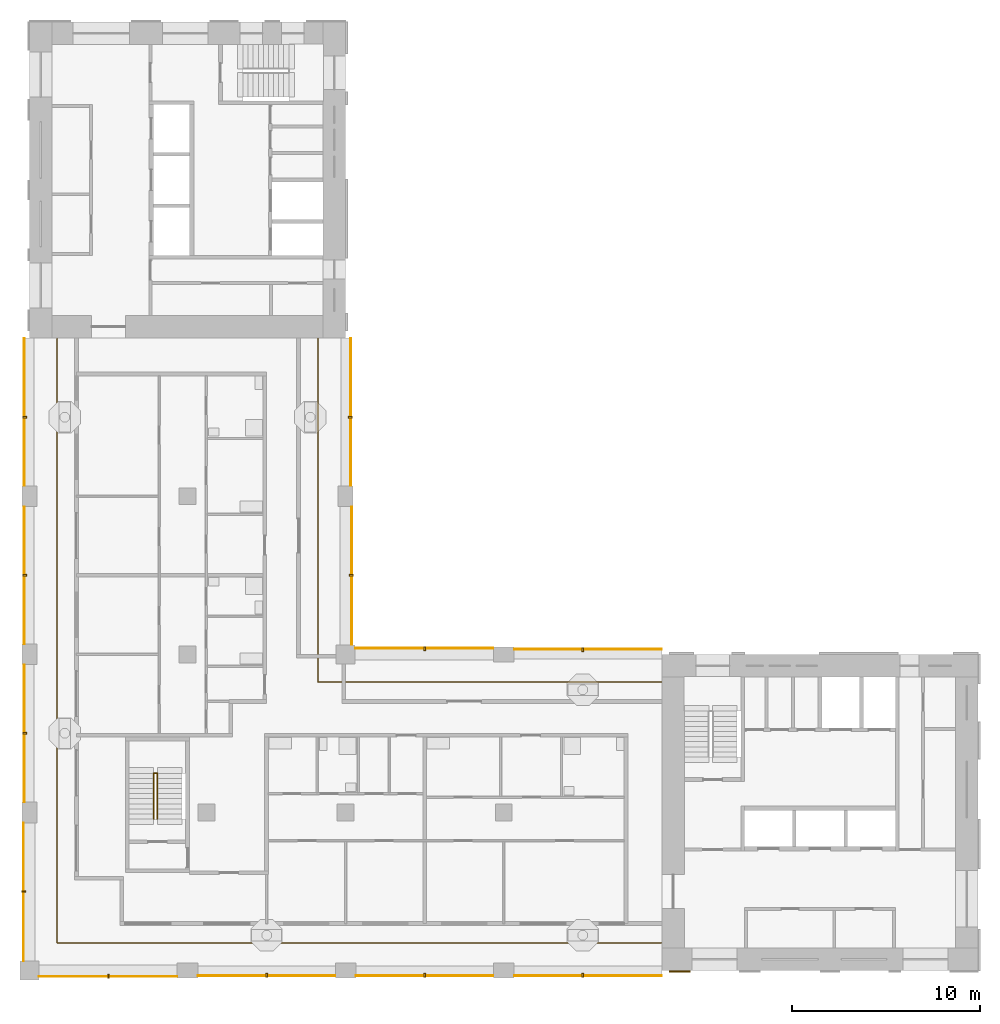
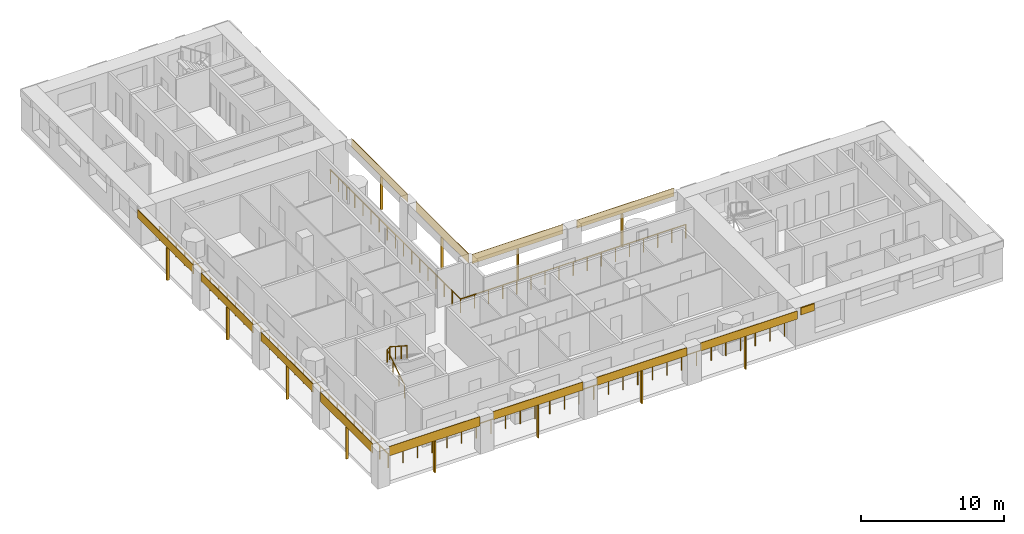
# One storey, part 8 of 12: 25 shading devices, 3 railings.
"""IFC4 building model written with IfcOpenShell, lengths in metres."""

import ifcopenshell
import ifcopenshell.guid

model = None  # the IFC model being written
_history = None  # IfcOwnerHistory: only IFC2X3 demands one
_inside = {}  # id of a spatial element -> (the spatial element, [elements in it])
_under = {}  # id of a project, library or spatial element -> (it, [spatial elements below it])
_declared = {}  # id of a project -> (the project, [libraries it declares])
_typed = {}  # id of a type object -> (the type object, [elements of that type])
_made_of = {}  # id of a material, layer set ... -> (it, [elements and type objects made of it])


def new_model(schema):
    """Start an empty IFC model of exactly this schema.

    Asked for "IFC4X3", IfcOpenShell would pick the latest addendum, in which some entities
    have other attributes; the version numbers below select the first issue.
    IFC2X3 requires an IfcOwnerHistory on every rooted entity: one is made here for all.
    """
    global model, _history
    if schema == "IFC4X3":
        model = ifcopenshell.file(schema_version=(4, 3, 0, 0))
    else:
        model = ifcopenshell.file(schema=schema)
    _inside.clear()
    _under.clear()
    _declared.clear()
    _typed.clear()
    _made_of.clear()
    _history = None
    if model.schema == "IFC2X3":
        org = make("IfcOrganization", Name="unknown")
        user = make(
            "IfcPersonAndOrganization",
            ThePerson=make("IfcPerson", FamilyName="unknown"),
            TheOrganization=org,
        )
        app = make(
            "IfcApplication",
            ApplicationDeveloper=org,
            Version="unknown",
            ApplicationFullName="unknown",
            ApplicationIdentifier="unknown",
        )
        _history = make(
            "IfcOwnerHistory",
            OwningUser=user,
            OwningApplication=app,
            ChangeAction="ADDED",
            CreationDate=0,
        )
    return model


def make(cls, **values):
    """One entity of the class cls with the attributes given. An attribute that is None is left unset."""
    return model.create_entity(
        cls, **{name: value for name, value in values.items() if value is not None}
    )


def rooted(cls, **values):
    """An entity with a GlobalId (a new one), such as an element, a storey or a relation."""
    return make(cls, GlobalId=ifcopenshell.guid.new(), OwnerHistory=_history, **values)


def si_unit(unit_type, name, prefix=None):
    """IfcSIUnit, for example si_unit("LENGTHUNIT", "METRE", prefix="MILLI")."""
    return make("IfcSIUnit", UnitType=unit_type, Prefix=prefix, Name=name)


def assignment(units):
    """IfcUnitAssignment: the units of a project."""
    return None if units is None else make("IfcUnitAssignment", Units=units)


def point(xyz):
    """IfcCartesianPoint."""
    return None if xyz is None else make("IfcCartesianPoint", Coordinates=xyz)


def direction(xyz):
    """IfcDirection."""
    return None if xyz is None else make("IfcDirection", DirectionRatios=xyz)


def frame(location, z_axis=None, x_axis=None):
    """IfcAxis2Placement3D, a coordinate frame: its origin and axes. An axis left out is left unset."""
    return make(
        "IfcAxis2Placement3D",
        Location=point(location),
        Axis=direction(z_axis),
        RefDirection=direction(x_axis),
    )


def frame_2d(location, x_axis=None):
    """IfcAxis2Placement2D, a coordinate frame in the plane: its origin and x axis."""
    return make(
        "IfcAxis2Placement2D", Location=point(location), RefDirection=direction(x_axis)
    )


def origin():
    """The frame at (0, 0, 0) with its axes left unset."""
    return frame((0.0, 0.0, 0.0))


def origin_2d():
    """The frame at (0, 0) in the plane with its x axis left unset."""
    return frame_2d((0.0, 0.0))


def place(relative_to, where):
    """IfcLocalPlacement: puts the frame where relative to a parent placement (None: the world)."""
    return make(
        "IfcLocalPlacement", PlacementRelTo=relative_to, RelativePlacement=where
    )


def context(
    kind, dimensions, precision=None, world=None, true_north=None, identifier=None
):
    """IfcGeometricRepresentationContext, for example the 3D "Model" context."""
    return make(
        "IfcGeometricRepresentationContext",
        ContextIdentifier=identifier,
        ContextType=kind,
        CoordinateSpaceDimension=dimensions,
        Precision=precision,
        WorldCoordinateSystem=world,
        TrueNorth=true_north,
    )


def subcontext(parent, identifier, kind, view, scale=None):
    """IfcGeometricRepresentationSubContext, for example "Body" below "Model"."""
    return make(
        "IfcGeometricRepresentationSubContext",
        ContextIdentifier=identifier,
        ContextType=kind,
        ParentContext=parent,
        TargetScale=scale,
        TargetView=view,
    )


def project(units=None, contexts=None):
    """IfcProject with its units and contexts."""
    return rooted(
        "IfcProject",
        Name="project",
        RepresentationContexts=contexts,
        UnitsInContext=assignment(units),
    )


def spatial(cls, under=None, at=None, **own):
    """A site, building, storey or space (cls), placed at a placement, below another one or the project."""
    s = rooted(cls, ObjectPlacement=at, **own)
    if under is not None:
        _under.setdefault(under.id(), (under, []))[1].append(s)
    return s


def profile(cls, at=None, kind="AREA", **sizes):
    """A parametric profile (cls). Its sizes go by their IFC names, for example OverallWidth=200.0."""
    return make(cls, ProfileType=kind, Position=at, **sizes)


def rectangle(**sizes):
    """IfcRectangleProfileDef."""
    return profile("IfcRectangleProfileDef", **sizes)


def circle(**sizes):
    """IfcCircleProfileDef."""
    return profile("IfcCircleProfileDef", **sizes)


def extrude(swept, where, along, depth):
    """IfcExtrudedAreaSolid: the profile swept, set in the frame where, extruded along a direction by depth."""
    return make(
        "IfcExtrudedAreaSolid",
        SweptArea=swept,
        Position=where,
        ExtrudedDirection=direction(along),
        Depth=depth,
    )


def shape(context_of_items, identifier, shape_type, items):
    """IfcShapeRepresentation: the items that make up one representation, for example the "Body"."""
    return make(
        "IfcShapeRepresentation",
        ContextOfItems=context_of_items,
        RepresentationIdentifier=identifier,
        RepresentationType=shape_type,
        Items=items,
    )


def material(Name=None, Category=None):
    """IfcMaterial."""
    return make("IfcMaterial", Name=Name, Category=Category)


def layer(
    of_material, thickness, ventilated=None, Name=None, Category=None, Priority=None
):
    """IfcMaterialLayer: one layer of a wall or slab, of a material (None: an air gap)."""
    return make(
        "IfcMaterialLayer",
        Material=of_material,
        LayerThickness=thickness,
        IsVentilated=ventilated,
        Name=Name,
        Category=Category,
        Priority=Priority,
    )


def layer_set(layers, Name=None):
    """IfcMaterialLayerSet."""
    return make("IfcMaterialLayerSet", MaterialLayers=layers, LayerSetName=Name)


def material_profile(
    of_material, cross_section, Name=None, Category=None, Priority=None
):
    """IfcMaterialProfile: a cross section and its material."""
    return make(
        "IfcMaterialProfile",
        Name=Name,
        Material=of_material,
        Profile=cross_section,
        Priority=Priority,
        Category=Category,
    )


def profile_set(profiles, Name=None, composite=None):
    """IfcMaterialProfileSet."""
    return make(
        "IfcMaterialProfileSet",
        Name=Name,
        MaterialProfiles=profiles,
        CompositeProfile=composite,
    )


def made_of(thing, what):
    """Note that an element or type object is made of a material, layer set ...; save() writes the relation."""
    if what is not None:
        _made_of.setdefault(what.id(), (what, []))[1].append(thing)
    return thing


def type_object(cls, material=None, **own):
    """A type object (cls), such as IfcWallType, which elements share."""
    return made_of(rooted(cls, **own), material)


def element(
    cls,
    number,
    at=None,
    inside=None,
    cuts=None,
    type_object=None,
    material=None,
    context=None,
    identifier="Body",
    shape_type=None,
    held_by="IfcProductDefinitionShape",
    body=None,
    shapes=None,
    **own,
):
    """One element of the class cls, such as IfcWall. Its Tag is "e" and its number.

    at: its placement. inside: the storey or other place that contains it. cuts: it is an
    opening in that element (IfcRelVoidsElement). A single representation is given by context,
    identifier, shape_type and body (its items); several are given by shapes. held_by: the class
    of the entity that holds the representations. save() writes the other relations.
    """
    e = rooted(cls, Tag="e%d" % number, ObjectPlacement=at, **own)
    if body is not None:
        shapes = [shape(context, identifier, shape_type, body)]
    if shapes is not None:
        e.Representation = make(held_by, Representations=shapes)
    if inside is not None:
        _inside.setdefault(inside.id(), (inside, []))[1].append(e)
    if cuts is not None:
        rooted(
            "IfcRelVoidsElement", RelatingBuildingElement=cuts, RelatedOpeningElement=e
        )
    if type_object is not None:
        _typed.setdefault(type_object.id(), (type_object, []))[1].append(e)
    return made_of(e, material)


def aggregate(whole, parts):
    """IfcRelAggregates: a whole, such as a stair, and the parts it consists of."""
    return rooted("IfcRelAggregates", RelatingObject=whole, RelatedObjects=parts)


def save(model, path):
    """Write the relations noted so far, then the file.

    IfcRelAggregates (storeys below a building ...), IfcRelContainedInSpatialStructure (elements
    in a storey), IfcRelDefinesByType, IfcRelAssociatesMaterial and IfcRelDeclares: one each for
    every whole, place, type object, material and project.
    """
    for whole, parts in _under.values():
        aggregate(whole, parts)
    for where, things in _inside.values():
        rooted(
            "IfcRelContainedInSpatialStructure",
            RelatedElements=things,
            RelatingStructure=where,
        )
    for kind, things in _typed.values():
        rooted("IfcRelDefinesByType", RelatedObjects=things, RelatingType=kind)
    for what, things in _made_of.values():
        rooted("IfcRelAssociatesMaterial", RelatedObjects=things, RelatingMaterial=what)
    for by, libraries in _declared.values():
        rooted("IfcRelDeclares", RelatingContext=by, RelatedDefinitions=libraries)
    model.write(path)


model = new_model("IFC4")

# Units and contexts
model_context = context("Model", 3, precision=1e-05, world=origin(), true_north=direction((0.0, 1.0)))
body_context = subcontext(model_context, "Body", "Model", "MODEL_VIEW")
ifc_project = project(units=[si_unit("LENGTHUNIT", "METRE"), si_unit("AREAUNIT", "SQUARE_METRE"), si_unit("VOLUMEUNIT", "CUBIC_METRE"), si_unit("PLANEANGLEUNIT", "RADIAN"), si_unit("MASSUNIT", "GRAM", prefix="KILO")], contexts=[model_context])

# Site, building, storey
site_placement = place(None, origin())
site = spatial("IfcSite", under=ifc_project, at=site_placement, CompositionType="ELEMENT")
building_placement = place(site_placement, origin())
building = spatial("IfcBuilding", under=site, at=building_placement, Name="Vermilion Gate Residences", CompositionType="ELEMENT")
storey_placement = place(building_placement, frame((0.0, 0.0, 217.699951171875)))
storey = spatial("IfcBuildingStorey", under=building, at=storey_placement, Name="L56", CompositionType="ELEMENT", Elevation=217.699951171875)

# Railings
ifc_material_1 = material(Name="Stainless steel and toughened glass", Category="steel")
railing_type_1 = type_object("IfcRailingType", Name="LOGGIA GUARD STEEL AND GLASS 1200", PredefinedType="GUARDRAIL", material=ifc_material_1)
railing_1_placement = place(storey_placement, frame((41.97802734375, 23.72509765625, 0.0)))
element("IfcRailing", 1, at=railing_1_placement, inside=storey, type_object=railing_type_1, Name="Loggia guard", PredefinedType="GUARDRAIL", context=body_context, shape_type="SweptSolid", body=[
    extrude(circle(Radius=0.030029296875, at=origin_2d()), frame((0.0, 0.0, 1.169921875), z_axis=(-1.0, 0.0, 0.0), x_axis=(0.0, -1.0, 0.0)), (0.0, 0.0, 1.0), 18.2529296875),
    extrude(circle(Radius=0.030029296875, at=origin_2d()), frame((-18.2529296875, 0.0, 1.169921875), z_axis=(0.0, 1.0, 0.0), x_axis=(-1.0, 0.0, 0.0)), (0.0, 0.0, 1.0), 18.2529296875),
    extrude(circle(Radius=0.02490234375, at=origin_2d()), origin(), (0.0, 0.0, 1.0), 1.139892578125),
    extrude(circle(Radius=0.02490234375, at=origin_2d()), frame((-1.140869140625, 0.0, 0.0)), (0.0, 0.0, 1.0), 1.139892578125),
    extrude(circle(Radius=0.02490234375, at=origin_2d()), frame((-2.28173828125, 0.0, 0.0)), (0.0, 0.0, 1.0), 1.139892578125),
    extrude(circle(Radius=0.02490234375, at=origin_2d()), frame((-3.42236328125, 0.0, 0.0)), (0.0, 0.0, 1.0), 1.139892578125),
    extrude(circle(Radius=0.02490234375, at=origin_2d()), frame((-4.563232421875, 0.0, 0.0)), (0.0, 0.0, 1.0), 1.139892578125),
    extrude(circle(Radius=0.02490234375, at=origin_2d()), frame((-5.7041015625, 0.0, 0.0)), (0.0, 0.0, 1.0), 1.139892578125),
    extrude(circle(Radius=0.02490234375, at=origin_2d()), frame((-6.8447265625, 0.0, 0.0)), (0.0, 0.0, 1.0), 1.139892578125),
    extrude(circle(Radius=0.02490234375, at=origin_2d()), frame((-7.985595703125, 0.0, 0.0)), (0.0, 0.0, 1.0), 1.139892578125),
    extrude(circle(Radius=0.02490234375, at=origin_2d()), frame((-9.12646484375, 0.0, 0.0)), (0.0, 0.0, 1.0), 1.139892578125),
    extrude(circle(Radius=0.02490234375, at=origin_2d()), frame((-10.267333984375, 0.0, 0.0)), (0.0, 0.0, 1.0), 1.139892578125),
    extrude(circle(Radius=0.02490234375, at=origin_2d()), frame((-11.408203125, 0.0, 0.0)), (0.0, 0.0, 1.0), 1.139892578125),
    extrude(circle(Radius=0.02490234375, at=origin_2d()), frame((-12.548828125, 0.0, 0.0)), (0.0, 0.0, 1.0), 1.139892578125),
    extrude(circle(Radius=0.02490234375, at=origin_2d()), frame((-13.689697265625, 0.0, 0.0)), (0.0, 0.0, 1.0), 1.139892578125),
    extrude(circle(Radius=0.02490234375, at=origin_2d()), frame((-14.83056640625, 0.0, 0.0)), (0.0, 0.0, 1.0), 1.139892578125),
    extrude(circle(Radius=0.02490234375, at=origin_2d()), frame((-15.97119140625, 0.0, 0.0)), (0.0, 0.0, 1.0), 1.139892578125),
    extrude(circle(Radius=0.02490234375, at=origin_2d()), frame((-17.112060546875, 0.0, 0.0)), (0.0, 0.0, 1.0), 1.139892578125),
    extrude(circle(Radius=0.02490234375, at=origin_2d()), frame((-18.2529296875, 0.0, 0.0)), (0.0, 0.0, 1.0), 1.139892578125),
    extrude(circle(Radius=0.02490234375, at=origin_2d()), frame((-18.2529296875, 1.140869140625, 0.0)), (0.0, 0.0, 1.0), 1.139892578125),
    extrude(circle(Radius=0.02490234375, at=origin_2d()), frame((-18.2529296875, 2.28173828125, 0.0)), (0.0, 0.0, 1.0), 1.139892578125),
    extrude(circle(Radius=0.02490234375, at=origin_2d()), frame((-18.2529296875, 3.42236328125, 0.0)), (0.0, 0.0, 1.0), 1.139892578125),
    extrude(circle(Radius=0.02490234375, at=origin_2d()), frame((-18.2529296875, 4.563232421875, 0.0)), (0.0, 0.0, 1.0), 1.139892578125),
    extrude(circle(Radius=0.02490234375, at=origin_2d()), frame((-18.2529296875, 5.7041015625, 0.0)), (0.0, 0.0, 1.0), 1.139892578125),
    extrude(circle(Radius=0.02490234375, at=origin_2d()), frame((-18.2529296875, 6.8447265625, 0.0)), (0.0, 0.0, 1.0), 1.139892578125),
    extrude(circle(Radius=0.02490234375, at=origin_2d()), frame((-18.2529296875, 7.985595703125, 0.0)), (0.0, 0.0, 1.0), 1.139892578125),
    extrude(circle(Radius=0.02490234375, at=origin_2d()), frame((-18.2529296875, 9.12646484375, 0.0)), (0.0, 0.0, 1.0), 1.139892578125),
    extrude(circle(Radius=0.02490234375, at=origin_2d()), frame((-18.2529296875, 10.267333984375, 0.0)), (0.0, 0.0, 1.0), 1.139892578125),
    extrude(circle(Radius=0.02490234375, at=origin_2d()), frame((-18.2529296875, 11.408203125, 0.0)), (0.0, 0.0, 1.0), 1.139892578125),
    extrude(circle(Radius=0.02490234375, at=origin_2d()), frame((-18.2529296875, 12.548828125, 0.0)), (0.0, 0.0, 1.0), 1.139892578125),
    extrude(circle(Radius=0.02490234375, at=origin_2d()), frame((-18.2529296875, 13.689697265625, 0.0)), (0.0, 0.0, 1.0), 1.139892578125),
    extrude(circle(Radius=0.02490234375, at=origin_2d()), frame((-18.2529296875, 14.83056640625, 0.0)), (0.0, 0.0, 1.0), 1.139892578125),
    extrude(circle(Radius=0.02490234375, at=origin_2d()), frame((-18.2529296875, 15.97119140625, 0.0)), (0.0, 0.0, 1.0), 1.139892578125),
    extrude(circle(Radius=0.02490234375, at=origin_2d()), frame((-18.2529296875, 17.112060546875, 0.0)), (0.0, 0.0, 1.0), 1.139892578125),
    extrude(circle(Radius=0.02490234375, at=origin_2d()), frame((-18.2529296875, 18.2529296875, 0.0)), (0.0, 0.0, 1.0), 1.139892578125),
])
railing_2_placement = place(storey_placement, frame((9.875, 41.97802734375, 0.0)))
element("IfcRailing", 2, at=railing_2_placement, inside=storey, type_object=railing_type_1, Name="Loggia guard", PredefinedType="GUARDRAIL", context=body_context, shape_type="SweptSolid", body=[
    extrude(circle(Radius=0.030029296875, at=origin_2d()), frame((0.0, 0.0, 1.169921875), z_axis=(0.0, -1.0, 0.0), x_axis=(1.0, 0.0, 0.0)), (0.0, 0.0, 1.0), 32.10302734375),
    extrude(circle(Radius=0.030029296875, at=origin_2d()), frame((0.0, -32.10302734375, 1.169921875), z_axis=(1.0, 0.0, 0.0), x_axis=(0.0, 1.0, 0.0)), (0.0, 0.0, 1.0), 32.10302734375),
    extrude(circle(Radius=0.02490234375, at=origin_2d()), origin(), (0.0, 0.0, 1.0), 1.139892578125),
    extrude(circle(Radius=0.02490234375, at=origin_2d()), frame((0.0, -1.18896484375, 0.0)), (0.0, 0.0, 1.0), 1.139892578125),
    extrude(circle(Radius=0.02490234375, at=origin_2d()), frame((0.0, -2.3779296875, 0.0)), (0.0, 0.0, 1.0), 1.139892578125),
    extrude(circle(Radius=0.02490234375, at=origin_2d()), frame((0.0, -3.56689453125, 0.0)), (0.0, 0.0, 1.0), 1.139892578125),
    extrude(circle(Radius=0.02490234375, at=origin_2d()), frame((0.0, -4.756103515625, 0.0)), (0.0, 0.0, 1.0), 1.139892578125),
    extrude(circle(Radius=0.02490234375, at=origin_2d()), frame((0.0, -5.945068359375, 0.0)), (0.0, 0.0, 1.0), 1.139892578125),
    extrude(circle(Radius=0.02490234375, at=origin_2d()), frame((0.0, -7.134033203125, 0.0)), (0.0, 0.0, 1.0), 1.139892578125),
    extrude(circle(Radius=0.02490234375, at=origin_2d()), frame((0.0, -8.322998046875, 0.0)), (0.0, 0.0, 1.0), 1.139892578125),
    extrude(circle(Radius=0.02490234375, at=origin_2d()), frame((0.0, -9.511962890625, 0.0)), (0.0, 0.0, 1.0), 1.139892578125),
    extrude(circle(Radius=0.02490234375, at=origin_2d()), frame((0.0, -10.700927734375, 0.0)), (0.0, 0.0, 1.0), 1.139892578125),
    extrude(circle(Radius=0.02490234375, at=origin_2d()), frame((0.0, -11.889892578125, 0.0)), (0.0, 0.0, 1.0), 1.139892578125),
    extrude(circle(Radius=0.02490234375, at=origin_2d()), frame((0.0, -13.0791015625, 0.0)), (0.0, 0.0, 1.0), 1.139892578125),
    extrude(circle(Radius=0.02490234375, at=origin_2d()), frame((0.0, -14.26806640625, 0.0)), (0.0, 0.0, 1.0), 1.139892578125),
    extrude(circle(Radius=0.02490234375, at=origin_2d()), frame((0.0, -15.45703125, 0.0)), (0.0, 0.0, 1.0), 1.139892578125),
    extrude(circle(Radius=0.02490234375, at=origin_2d()), frame((0.0, -16.64599609375, 0.0)), (0.0, 0.0, 1.0), 1.139892578125),
    extrude(circle(Radius=0.02490234375, at=origin_2d()), frame((0.0, -17.8349609375, 0.0)), (0.0, 0.0, 1.0), 1.139892578125),
    extrude(circle(Radius=0.02490234375, at=origin_2d()), frame((0.0, -19.02392578125, 0.0)), (0.0, 0.0, 1.0), 1.139892578125),
    extrude(circle(Radius=0.02490234375, at=origin_2d()), frame((0.0, -20.213134765625, 0.0)), (0.0, 0.0, 1.0), 1.139892578125),
    extrude(circle(Radius=0.02490234375, at=origin_2d()), frame((0.0, -21.402099609375, 0.0)), (0.0, 0.0, 1.0), 1.139892578125),
    extrude(circle(Radius=0.02490234375, at=origin_2d()), frame((0.0, -22.591064453125, 0.0)), (0.0, 0.0, 1.0), 1.139892578125),
    extrude(circle(Radius=0.02490234375, at=origin_2d()), frame((0.0, -23.780029296875, 0.0)), (0.0, 0.0, 1.0), 1.139892578125),
    extrude(circle(Radius=0.02490234375, at=origin_2d()), frame((0.0, -24.968994140625, 0.0)), (0.0, 0.0, 1.0), 1.139892578125),
    extrude(circle(Radius=0.02490234375, at=origin_2d()), frame((0.0, -26.157958984375, 0.0)), (0.0, 0.0, 1.0), 1.139892578125),
    extrude(circle(Radius=0.02490234375, at=origin_2d()), frame((0.0, -27.346923828125, 0.0)), (0.0, 0.0, 1.0), 1.139892578125),
    extrude(circle(Radius=0.02490234375, at=origin_2d()), frame((0.0, -28.5361328125, 0.0)), (0.0, 0.0, 1.0), 1.139892578125),
    extrude(circle(Radius=0.02490234375, at=origin_2d()), frame((0.0, -29.72509765625, 0.0)), (0.0, 0.0, 1.0), 1.139892578125),
    extrude(circle(Radius=0.02490234375, at=origin_2d()), frame((0.0, -30.9140625, 0.0)), (0.0, 0.0, 1.0), 1.139892578125),
    extrude(circle(Radius=0.02490234375, at=origin_2d()), frame((0.0, -32.10302734375, 0.0)), (0.0, 0.0, 1.0), 1.139892578125),
    extrude(circle(Radius=0.02490234375, at=origin_2d()), frame((1.18896484375, -32.10302734375, 0.0)), (0.0, 0.0, 1.0), 1.139892578125),
    extrude(circle(Radius=0.02490234375, at=origin_2d()), frame((2.3779296875, -32.10302734375, 0.0)), (0.0, 0.0, 1.0), 1.139892578125),
    extrude(circle(Radius=0.02490234375, at=origin_2d()), frame((3.56689453125, -32.10302734375, 0.0)), (0.0, 0.0, 1.0), 1.139892578125),
    extrude(circle(Radius=0.02490234375, at=origin_2d()), frame((4.756103515625, -32.10302734375, 0.0)), (0.0, 0.0, 1.0), 1.139892578125),
    extrude(circle(Radius=0.02490234375, at=origin_2d()), frame((5.945068359375, -32.10302734375, 0.0)), (0.0, 0.0, 1.0), 1.139892578125),
    extrude(circle(Radius=0.02490234375, at=origin_2d()), frame((7.134033203125, -32.10302734375, 0.0)), (0.0, 0.0, 1.0), 1.139892578125),
    extrude(circle(Radius=0.02490234375, at=origin_2d()), frame((8.322998046875, -32.10302734375, 0.0)), (0.0, 0.0, 1.0), 1.139892578125),
    extrude(circle(Radius=0.02490234375, at=origin_2d()), frame((9.511962890625, -32.10302734375, 0.0)), (0.0, 0.0, 1.0), 1.139892578125),
    extrude(circle(Radius=0.02490234375, at=origin_2d()), frame((10.700927734375, -32.10302734375, 0.0)), (0.0, 0.0, 1.0), 1.139892578125),
    extrude(circle(Radius=0.02490234375, at=origin_2d()), frame((11.889892578125, -32.10302734375, 0.0)), (0.0, 0.0, 1.0), 1.139892578125),
    extrude(circle(Radius=0.02490234375, at=origin_2d()), frame((13.0791015625, -32.10302734375, 0.0)), (0.0, 0.0, 1.0), 1.139892578125),
    extrude(circle(Radius=0.02490234375, at=origin_2d()), frame((14.26806640625, -32.10302734375, 0.0)), (0.0, 0.0, 1.0), 1.139892578125),
    extrude(circle(Radius=0.02490234375, at=origin_2d()), frame((15.45703125, -32.10302734375, 0.0)), (0.0, 0.0, 1.0), 1.139892578125),
    extrude(circle(Radius=0.02490234375, at=origin_2d()), frame((16.64599609375, -32.10302734375, 0.0)), (0.0, 0.0, 1.0), 1.139892578125),
    extrude(circle(Radius=0.02490234375, at=origin_2d()), frame((17.8349609375, -32.10302734375, 0.0)), (0.0, 0.0, 1.0), 1.139892578125),
    extrude(circle(Radius=0.02490234375, at=origin_2d()), frame((19.02392578125, -32.10302734375, 0.0)), (0.0, 0.0, 1.0), 1.139892578125),
    extrude(circle(Radius=0.02490234375, at=origin_2d()), frame((20.213134765625, -32.10302734375, 0.0)), (0.0, 0.0, 1.0), 1.139892578125),
    extrude(circle(Radius=0.02490234375, at=origin_2d()), frame((21.402099609375, -32.10302734375, 0.0)), (0.0, 0.0, 1.0), 1.139892578125),
    extrude(circle(Radius=0.02490234375, at=origin_2d()), frame((22.591064453125, -32.10302734375, 0.0)), (0.0, 0.0, 1.0), 1.139892578125),
    extrude(circle(Radius=0.02490234375, at=origin_2d()), frame((23.780029296875, -32.10302734375, 0.0)), (0.0, 0.0, 1.0), 1.139892578125),
    extrude(circle(Radius=0.02490234375, at=origin_2d()), frame((24.968994140625, -32.10302734375, 0.0)), (0.0, 0.0, 1.0), 1.139892578125),
    extrude(circle(Radius=0.02490234375, at=origin_2d()), frame((26.157958984375, -32.10302734375, 0.0)), (0.0, 0.0, 1.0), 1.139892578125),
    extrude(circle(Radius=0.02490234375, at=origin_2d()), frame((27.346923828125, -32.10302734375, 0.0)), (0.0, 0.0, 1.0), 1.139892578125),
    extrude(circle(Radius=0.02490234375, at=origin_2d()), frame((28.5361328125, -32.10302734375, 0.0)), (0.0, 0.0, 1.0), 1.139892578125),
    extrude(circle(Radius=0.02490234375, at=origin_2d()), frame((29.72509765625, -32.10302734375, 0.0)), (0.0, 0.0, 1.0), 1.139892578125),
    extrude(circle(Radius=0.02490234375, at=origin_2d()), frame((30.9140625, -32.10302734375, 0.0)), (0.0, 0.0, 1.0), 1.139892578125),
    extrude(circle(Radius=0.02490234375, at=origin_2d()), frame((32.10302734375, -32.10302734375, 0.0)), (0.0, 0.0, 1.0), 1.139892578125),
])

# Shading devices
ifc_material_2 = material(Name="Perforated terracotta", Category="masonry")
ifc_layer_1 = layer(ifc_material_2, 0.0400390625)
ifc_layer_set_1 = layer_set([ifc_layer_1], Name="PERFORATED TERRACOTTA SCREEN 40")
shading_device_type_1 = type_object("IfcShadingDeviceType", Name="PERFORATED TERRACOTTA SCREEN 40", PredefinedType="SHUTTER", material=ifc_layer_set_1)
shading_device_1_placement = place(storey_placement, frame((12.574951171875, 8.080078125, 2.419921875), z_axis=(0.0, 0.0, 1.0), x_axis=(1.0, 0.0, 0.0)))
element("IfcShadingDevice", 3, at=shading_device_1_placement, inside=storey, type_object=shading_device_type_1, Name="SCREEN", PredefinedType="SHUTTER", context=body_context, shape_type="SweptSolid", body=[
    extrude(rectangle(XDim=7.35009765625, YDim=0.0400390625, at=origin_2d()), origin(), (0.0, 0.0, 1.0), 0.800048828125),
])
for number, where, z_axis, x_axis, name in (
    (4, (21.0, 8.1298828125, 2.52001953125), (0.0, 0.0, 1.0), (1.0, 0.0, 0.0), "SCREEN"),
    (5, (29.39990234375, 8.1298828125, 2.52001953125), (0.0, 0.0, 1.0), (1.0, 0.0, 0.0), "SCREEN"),
):
    element("IfcShadingDevice", number, at=place(storey_placement, frame(where, z_axis=z_axis, x_axis=x_axis)), inside=storey, type_object=shading_device_type_1, Name=name, PredefinedType="SHUTTER", context=body_context, shape_type="SweptSolid", body=[
        extrude(rectangle(XDim=7.300048828125, YDim=0.0400390625, at=origin_2d()), origin(), (0.0, 0.0, 1.0), 0.699951171875),
    ])
shading_device_2_placement = place(storey_placement, frame((38.074951171875, 8.1298828125, 2.52001953125), z_axis=(0.0, 0.0, 1.0), x_axis=(1.0, 0.0, 0.0)))
element("IfcShadingDevice", 6, at=shading_device_2_placement, inside=storey, type_object=shading_device_type_1, Name="SCREEN", PredefinedType="SHUTTER", context=body_context, shape_type="SweptSolid", body=[
    extrude(rectangle(XDim=7.85009765625, YDim=0.0400390625, at=origin_2d()), origin(), (0.0, 0.0, 1.0), 0.699951171875),
])
shading_device_3_placement = place(storey_placement, frame((29.375, 25.52001953125, 2.419921875), z_axis=(0.0, 0.0, 1.0), x_axis=(-1.0, 0.0, 0.0)))
element("IfcShadingDevice", 7, at=shading_device_3_placement, inside=storey, type_object=shading_device_type_1, Name="SCREEN", PredefinedType="SHUTTER", context=body_context, shape_type="SweptSolid", body=[
    extrude(rectangle(XDim=7.35009765625, YDim=0.0400390625, at=origin_2d()), origin(), (0.0, 0.0, 1.0), 0.800048828125),
])
shading_device_4_placement = place(storey_placement, frame((38.074951171875, 25.469970703125, 2.52001953125), z_axis=(0.0, 0.0, 1.0), x_axis=(-1.0, 0.0, 0.0)))
element("IfcShadingDevice", 8, at=shading_device_4_placement, inside=storey, type_object=shading_device_type_1, Name="SCREEN", PredefinedType="SHUTTER", context=body_context, shape_type="SweptSolid", body=[
    extrude(rectangle(XDim=7.85009765625, YDim=0.0400390625, at=origin_2d()), origin(), (0.0, 0.0, 1.0), 0.699951171875),
])
shading_device_5_placement = place(storey_placement, frame((25.52001953125, 29.375, 2.419921875), z_axis=(0.0, 0.0, 1.0), x_axis=(0.0, 1.0, 0.0)))
element("IfcShadingDevice", 9, at=shading_device_5_placement, inside=storey, type_object=shading_device_type_1, Name="SCREEN", PredefinedType="SHUTTER", context=body_context, shape_type="SweptSolid", body=[
    extrude(rectangle(XDim=7.35009765625, YDim=0.0400390625, at=origin_2d()), origin(), (0.0, 0.0, 1.0), 0.800048828125),
])
shading_device_6_placement = place(storey_placement, frame((25.469970703125, 38.074951171875, 2.52001953125), z_axis=(0.0, 0.0, 1.0), x_axis=(0.0, 1.0, 0.0)))
element("IfcShadingDevice", 10, at=shading_device_6_placement, inside=storey, type_object=shading_device_type_1, Name="SCREEN", PredefinedType="SHUTTER", context=body_context, shape_type="SweptSolid", body=[
    extrude(rectangle(XDim=7.85009765625, YDim=0.0400390625, at=origin_2d()), origin(), (0.0, 0.0, 1.0), 0.699951171875),
])
shading_device_7_placement = place(storey_placement, frame((8.080078125, 12.574951171875, 2.419921875), z_axis=(0.0, 0.0, 1.0), x_axis=(0.0, -1.0, 0.0)))
element("IfcShadingDevice", 11, at=shading_device_7_placement, inside=storey, type_object=shading_device_type_1, Name="SCREEN", PredefinedType="SHUTTER", context=body_context, shape_type="SweptSolid", body=[
    extrude(rectangle(XDim=7.35009765625, YDim=0.0400390625, at=origin_2d()), origin(), (0.0, 0.0, 1.0), 0.800048828125),
])
for number, where, z_axis, x_axis, name in (
    (12, (8.1298828125, 21.0, 2.52001953125), (0.0, 0.0, 1.0), (0.0, -1.0, 0.0), "SCREEN"),
    (13, (8.1298828125, 29.39990234375, 2.52001953125), (0.0, 0.0, 1.0), (0.0, -1.0, 0.0), "SCREEN"),
):
    element("IfcShadingDevice", number, at=place(storey_placement, frame(where, z_axis=z_axis, x_axis=x_axis)), inside=storey, type_object=shading_device_type_1, Name=name, PredefinedType="SHUTTER", context=body_context, shape_type="SweptSolid", body=[
        extrude(rectangle(XDim=7.300048828125, YDim=0.0400390625, at=origin_2d()), origin(), (0.0, 0.0, 1.0), 0.699951171875),
    ])
shading_device_8_placement = place(storey_placement, frame((8.1298828125, 38.074951171875, 2.52001953125), z_axis=(0.0, 0.0, 1.0), x_axis=(0.0, -1.0, 0.0)))
element("IfcShadingDevice", 14, at=shading_device_8_placement, inside=storey, type_object=shading_device_type_1, Name="SCREEN", PredefinedType="SHUTTER", context=body_context, shape_type="SweptSolid", body=[
    extrude(rectangle(XDim=7.85009765625, YDim=0.0400390625, at=origin_2d()), origin(), (0.0, 0.0, 1.0), 0.699951171875),
])

# Railing
ifc_material_3 = material(Name="Steel S355", Category="steel")
railing_type_2 = type_object("IfcRailingType", Name="STAIR GUARD 1100 STEEL", PredefinedType="GUARDRAIL", material=ifc_material_3)
railing_3_placement = place(storey_placement, frame((15.0, 16.449951171875, 0.175048828125)))
element("IfcRailing", 15, at=railing_3_placement, inside=storey, type_object=railing_type_2, Name="Stair well guard STC1-56", PredefinedType="GUARDRAIL", context=body_context, shape_type="SweptSolid", body=[
    extrude(circle(Radius=0.02392578125, at=origin_2d()), frame((0.0, 0.0, 1.076171875), z_axis=(0.0, 0.839153699163, 0.543894354798), x_axis=(-1.0, 0.0, 0.0)), (0.0, 0.0, 1.0), 2.895751953125),
    extrude(circle(Radius=0.02392578125, at=origin_2d()), frame((0.0, 2.429931640625, 2.65087890625), z_axis=(0.752405939678, 0.0, 0.658699705433), x_axis=(0.0, 1.0, 0.0)), (0.0, 0.0, 1.0), 0.265869140625),
    extrude(circle(Radius=0.02392578125, at=origin_2d()), frame((0.199951171875, 2.429931640625, 2.826171875), z_axis=(0.0, -0.839153699163, 0.543894354798), x_axis=(1.0, 0.0, 0.0)), (0.0, 0.0, 1.0), 2.895751953125),
    extrude(circle(Radius=0.02099609375, at=origin_2d()), origin(), (0.0, 0.0, 1.0), 1.052001953125),
    extrude(circle(Radius=0.02099609375, at=origin_2d()), frame((0.0, 0.81005859375, 0.52490234375)), (0.0, 0.0, 1.0), 1.052001953125),
    extrude(circle(Radius=0.02099609375, at=origin_2d()), frame((0.0, 1.619873046875, 1.050048828125)), (0.0, 0.0, 1.0), 1.052001953125),
    extrude(circle(Radius=0.02099609375, at=origin_2d()), frame((0.0, 2.429931640625, 1.574951171875)), (0.0, 0.0, 1.0), 1.052001953125),
    extrude(circle(Radius=0.02099609375, at=origin_2d()), frame((0.199951171875, 2.429931640625, 1.75)), (0.0, 0.0, 1.0), 1.052001953125),
    extrude(circle(Radius=0.02099609375, at=origin_2d()), frame((0.199951171875, 1.619873046875, 2.27490234375)), (0.0, 0.0, 1.0), 1.052001953125),
    extrude(circle(Radius=0.02099609375, at=origin_2d()), frame((0.199951171875, 0.81005859375, 2.800048828125)), (0.0, 0.0, 1.0), 1.052001953125),
    extrude(circle(Radius=0.02099609375, at=origin_2d()), frame((0.199951171875, 0.0, 3.324951171875)), (0.0, 0.0, 1.0), 1.052001953125),
])

# Shading devices
ifc_material_4 = material(Name="Extruded terracotta", Category="masonry")
ifc_material_profile = material_profile(ifc_material_4, rectangle(XDim=0.199951171875, YDim=0.10009765625, at=origin_2d()), Name="BAGUETTE 100 X 200")
ifc_profile_set = profile_set([ifc_material_profile], Name="Extruded terracotta")
shading_device_type_2 = type_object("IfcShadingDeviceType", Name="TERRACOTTA BAGUETTE 100 X 200", PredefinedType="JALOUSIE", material=ifc_profile_set)
shading_device_9_placement = place(storey_placement, frame((12.60009765625, 8.10009765625, -0.280029296875), z_axis=(0.0, 0.0, 1.0), x_axis=(0.0, 1.0, 0.0)))
element("IfcShadingDevice", 16, at=shading_device_9_placement, inside=storey, type_object=shading_device_type_2, Name="BAGUETTE", PredefinedType="JALOUSIE", context=body_context, shape_type="SweptSolid", body=[
    extrude(rectangle(XDim=0.199951171875, YDim=0.10009765625, at=origin_2d()), origin(), (0.0, 0.0, 1.0), 2.7001953125),
])
for number, where, z_axis, x_axis, name in (
    (17, (21.0, 8.14990234375, -0.280029296875), (0.0, 0.0, 1.0), (0.0, 1.0, 0.0), "BAGUETTE"),
    (18, (29.39990234375, 8.14990234375, -0.280029296875), (0.0, 0.0, 1.0), (0.0, 1.0, 0.0), "BAGUETTE"),
    (19, (37.800048828125, 8.14990234375, -0.280029296875), (0.0, 0.0, 1.0), (0.0, 1.0, 0.0), "BAGUETTE"),
):
    element("IfcShadingDevice", number, at=place(storey_placement, frame(where, z_axis=z_axis, x_axis=x_axis)), inside=storey, type_object=shading_device_type_2, Name=name, PredefinedType="JALOUSIE", context=body_context, shape_type="SweptSolid", body=[
        extrude(rectangle(XDim=0.199951171875, YDim=0.10009765625, at=origin_2d()), origin(), (0.0, 0.0, 1.0), 2.800048828125),
    ])
shading_device_10_placement = place(storey_placement, frame((29.39990234375, 25.5, -0.280029296875), z_axis=(0.0, 0.0, 1.0), x_axis=(0.0, -1.0, 0.0)))
element("IfcShadingDevice", 20, at=shading_device_10_placement, inside=storey, type_object=shading_device_type_2, Name="BAGUETTE", PredefinedType="JALOUSIE", context=body_context, shape_type="SweptSolid", body=[
    extrude(rectangle(XDim=0.199951171875, YDim=0.10009765625, at=origin_2d()), origin(), (0.0, 0.0, 1.0), 2.7001953125),
])
shading_device_11_placement = place(storey_placement, frame((37.800048828125, 25.449951171875, -0.280029296875), z_axis=(0.0, 0.0, 1.0), x_axis=(0.0, -1.0, 0.0)))
element("IfcShadingDevice", 21, at=shading_device_11_placement, inside=storey, type_object=shading_device_type_2, Name="BAGUETTE", PredefinedType="JALOUSIE", context=body_context, shape_type="SweptSolid", body=[
    extrude(rectangle(XDim=0.199951171875, YDim=0.10009765625, at=origin_2d()), origin(), (0.0, 0.0, 1.0), 2.800048828125),
])
shading_device_12_placement = place(storey_placement, frame((25.5, 29.39990234375, -0.280029296875), z_axis=(0.0, 0.0, 1.0), x_axis=(-1.0, 0.0, 0.0)))
element("IfcShadingDevice", 22, at=shading_device_12_placement, inside=storey, type_object=shading_device_type_2, Name="BAGUETTE", PredefinedType="JALOUSIE", context=body_context, shape_type="SweptSolid", body=[
    extrude(rectangle(XDim=0.199951171875, YDim=0.10009765625, at=origin_2d()), origin(), (0.0, 0.0, 1.0), 2.7001953125),
])
shading_device_13_placement = place(storey_placement, frame((25.449951171875, 37.800048828125, -0.280029296875), z_axis=(0.0, 0.0, 1.0), x_axis=(-1.0, 0.0, 0.0)))
element("IfcShadingDevice", 23, at=shading_device_13_placement, inside=storey, type_object=shading_device_type_2, Name="BAGUETTE", PredefinedType="JALOUSIE", context=body_context, shape_type="SweptSolid", body=[
    extrude(rectangle(XDim=0.199951171875, YDim=0.10009765625, at=origin_2d()), origin(), (0.0, 0.0, 1.0), 2.800048828125),
])
shading_device_14_placement = place(storey_placement, frame((8.10009765625, 12.60009765625, -0.280029296875), z_axis=(0.0, 0.0, 1.0), x_axis=(1.0, 0.0, 0.0)))
element("IfcShadingDevice", 24, at=shading_device_14_placement, inside=storey, type_object=shading_device_type_2, Name="BAGUETTE", PredefinedType="JALOUSIE", context=body_context, shape_type="SweptSolid", body=[
    extrude(rectangle(XDim=0.199951171875, YDim=0.10009765625, at=origin_2d()), origin(), (0.0, 0.0, 1.0), 2.7001953125),
])
for number, where, z_axis, x_axis, name in (
    (25, (8.14990234375, 21.0, -0.280029296875), (0.0, 0.0, 1.0), (1.0, 0.0, 0.0), "BAGUETTE"),
    (26, (8.14990234375, 29.39990234375, -0.280029296875), (0.0, 0.0, 1.0), (1.0, 0.0, 0.0), "BAGUETTE"),
    (27, (8.14990234375, 37.800048828125, -0.280029296875), (0.0, 0.0, 1.0), (1.0, 0.0, 0.0), "BAGUETTE"),
):
    element("IfcShadingDevice", number, at=place(storey_placement, frame(where, z_axis=z_axis, x_axis=x_axis)), inside=storey, type_object=shading_device_type_2, Name=name, PredefinedType="JALOUSIE", context=body_context, shape_type="SweptSolid", body=[
        extrude(rectangle(XDim=0.199951171875, YDim=0.10009765625, at=origin_2d()), origin(), (0.0, 0.0, 1.0), 2.800048828125),
    ])
ifc_material_5 = material(Name="Extruded terracotta", Category="masonry")
ifc_layer_2 = layer(ifc_material_5, 0.10009765625)
ifc_layer_set_2 = layer_set([ifc_layer_2], Name="TERRACOTTA SPANDREL BAND 600 X 100")
shading_device_type_3 = type_object("IfcShadingDeviceType", Name="TERRACOTTA SPANDREL BAND 600 X 100", PredefinedType="USERDEFINED", material=ifc_layer_set_2)
shading_device_15_placement = place(storey_placement, frame((42.949951171875, 8.35009765625, 2.6201171875), z_axis=(0.0, 0.0, 1.0), x_axis=(1.0, 0.0, 0.0)))
element("IfcShadingDevice", 28, at=shading_device_15_placement, inside=storey, type_object=shading_device_type_3, Name="SPANDREL BAND", ObjectType="BAND", PredefinedType="USERDEFINED", context=body_context, shape_type="SweptSolid", body=[
    extrude(rectangle(XDim=1.10009765625, YDim=0.10009765625, at=origin_2d()), origin(), (0.0, 0.0, 1.0), 0.60009765625),
])

save(model, "model.ifc")
